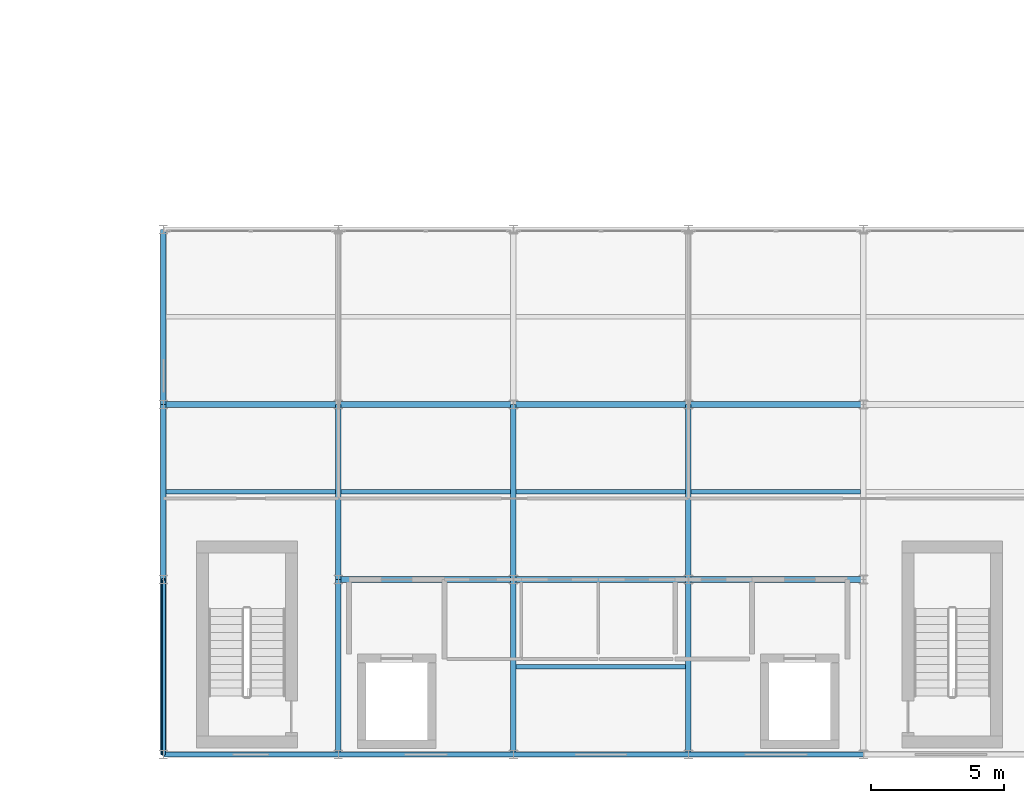
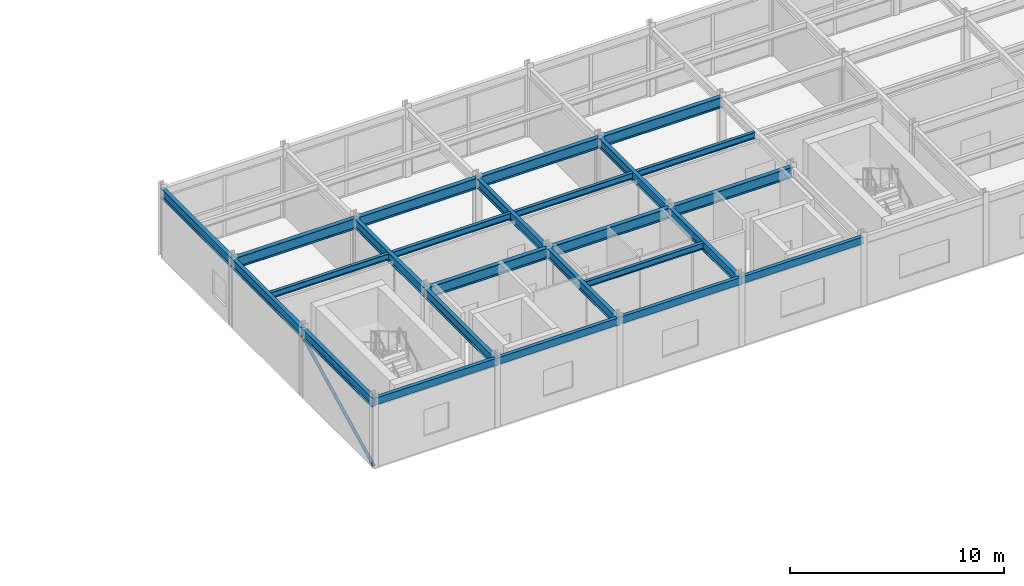
# One storey, part 53 of 134: 25 beams, 1 member.
"""IFC4 building model written with IfcOpenShell, lengths in metres."""

from ifc_helpers import new_model, si_unit, direction, frame, origin, origin_2d, place, context, subcontext, project, spatial, hollow_rectangle, hollow_circle, i_section, extrude, material, material_profile, profile_set, type_object, element, save


model = new_model("IFC4")

# Units and contexts
model_context = context("Model", 3, precision=1e-05, world=origin(), true_north=direction((0.0, 1.0)))
body_context = subcontext(model_context, "Body", "Model", "MODEL_VIEW")
ifc_project = project(units=[si_unit("LENGTHUNIT", "METRE"), si_unit("AREAUNIT", "SQUARE_METRE"), si_unit("VOLUMEUNIT", "CUBIC_METRE"), si_unit("PLANEANGLEUNIT", "RADIAN"), si_unit("MASSUNIT", "GRAM", prefix="KILO")], contexts=[model_context])

# Site, building, storey
site_placement = place(None, origin())
site = spatial("IfcSite", under=ifc_project, at=site_placement, CompositionType="ELEMENT")
building_placement = place(site_placement, origin())
building = spatial("IfcBuilding", under=site, at=building_placement, Name="Karori Crest Natural Sciences Institute", CompositionType="ELEMENT")
storey_placement = place(building_placement, frame((0.0, 0.0, 21.699951171875)))
storey = spatial("IfcBuildingStorey", under=building, at=storey_placement, Name="L05", CompositionType="ELEMENT", Elevation=21.699951171875)

# Beams
ifc_material_1 = material(Name="Structural steel AS/NZS 3679.1 Grade 350", Category="steel")
ifc_material_profile_1 = material_profile(ifc_material_1, i_section(OverallWidth=0.22900390625, OverallDepth=0.612060546875, WebThickness=0.011962890625, FlangeThickness=0.01953125, FilletRadius=0.013916015625, at=origin_2d()), Name="610UB125")
ifc_profile_set_1 = profile_set([ifc_material_profile_1], Name="Structural steel AS/NZS 3679.1 Grade 350")
beam_type_1 = type_object("IfcBeamType", Name="BT-04", PredefinedType="BEAM", material=ifc_profile_set_1)
beam_1_placement = place(storey_placement, frame((110.199951171875, 7.39990234375, 3.614013671875), z_axis=(1.0, 0.0, 0.0), x_axis=(0.0, 1.0, 0.0)))
element("IfcBeam", 1, at=beam_1_placement, inside=storey, type_object=beam_type_1, Name="Beam B-2463", PredefinedType="BEAM", context=body_context, shape_type="SweptSolid", body=[
    extrude(i_section(OverallWidth=0.22900390625, OverallDepth=0.612060546875, WebThickness=0.011962890625, FlangeThickness=0.01953125, FilletRadius=0.013916015625, at=origin_2d()), origin(), (0.0, 0.0, 1.0), 6.60009765625),
])
beam_2_placement = place(storey_placement, frame((116.800048828125, 7.39990234375, 3.614013671875), z_axis=(1.0, 0.0, 0.0), x_axis=(0.0, 1.0, 0.0)))
element("IfcBeam", 2, at=beam_2_placement, inside=storey, type_object=beam_type_1, Name="Beam B-2464", PredefinedType="BEAM", context=body_context, shape_type="SweptSolid", body=[
    extrude(i_section(OverallWidth=0.22900390625, OverallDepth=0.612060546875, WebThickness=0.011962890625, FlangeThickness=0.01953125, FilletRadius=0.013916015625, at=origin_2d()), origin(), (0.0, 0.0, 1.0), 6.599853515625),
])
beam_3_placement = place(storey_placement, frame((123.39990234375, 7.39990234375, 3.614013671875), z_axis=(1.0, 0.0, 0.0), x_axis=(0.0, 1.0, 0.0)))
element("IfcBeam", 3, at=beam_3_placement, inside=storey, type_object=beam_type_1, Name="Beam B-2465", PredefinedType="BEAM", context=body_context, shape_type="SweptSolid", body=[
    extrude(i_section(OverallWidth=0.22900390625, OverallDepth=0.612060546875, WebThickness=0.011962890625, FlangeThickness=0.01953125, FilletRadius=0.013916015625, at=origin_2d()), origin(), (0.0, 0.0, 1.0), 6.60009765625),
])
beam_4_placement = place(storey_placement, frame((103.60009765625, 14.0, 3.614013671875), z_axis=(1.0, 0.0, 0.0), x_axis=(0.0, 1.0, 0.0)))
element("IfcBeam", 4, at=beam_4_placement, inside=storey, type_object=beam_type_1, Name="Beam B-2470", PredefinedType="BEAM", context=body_context, shape_type="SweptSolid", body=[
    extrude(i_section(OverallWidth=0.22900390625, OverallDepth=0.612060546875, WebThickness=0.011962890625, FlangeThickness=0.01953125, FilletRadius=0.013916015625, at=origin_2d()), origin(), (0.0, 0.0, 1.0), 6.599853515625),
])
beam_5_placement = place(storey_placement, frame((110.199951171875, 14.0, 3.614013671875), z_axis=(1.0, 0.0, 0.0), x_axis=(0.0, 1.0, 0.0)))
element("IfcBeam", 5, at=beam_5_placement, inside=storey, type_object=beam_type_1, Name="Beam B-2471", PredefinedType="BEAM", context=body_context, shape_type="SweptSolid", body=[
    extrude(i_section(OverallWidth=0.22900390625, OverallDepth=0.612060546875, WebThickness=0.011962890625, FlangeThickness=0.01953125, FilletRadius=0.013916015625, at=origin_2d()), origin(), (0.0, 0.0, 1.0), 6.60009765625),
])
beam_6_placement = place(storey_placement, frame((116.800048828125, 14.0, 3.614013671875), z_axis=(1.0, 0.0, 0.0), x_axis=(0.0, 1.0, 0.0)))
element("IfcBeam", 6, at=beam_6_placement, inside=storey, type_object=beam_type_1, Name="Beam B-2472", PredefinedType="BEAM", context=body_context, shape_type="SweptSolid", body=[
    extrude(i_section(OverallWidth=0.22900390625, OverallDepth=0.612060546875, WebThickness=0.011962890625, FlangeThickness=0.01953125, FilletRadius=0.013916015625, at=origin_2d()), origin(), (0.0, 0.0, 1.0), 6.599853515625),
])
beam_7_placement = place(storey_placement, frame((123.39990234375, 14.0, 3.614013671875), z_axis=(1.0, 0.0, 0.0), x_axis=(0.0, 1.0, 0.0)))
element("IfcBeam", 7, at=beam_7_placement, inside=storey, type_object=beam_type_1, Name="Beam B-2473", PredefinedType="BEAM", context=body_context, shape_type="SweptSolid", body=[
    extrude(i_section(OverallWidth=0.22900390625, OverallDepth=0.612060546875, WebThickness=0.011962890625, FlangeThickness=0.01953125, FilletRadius=0.013916015625, at=origin_2d()), origin(), (0.0, 0.0, 1.0), 6.60009765625),
])
ifc_material_profile_2 = material_profile(ifc_material_1, i_section(OverallWidth=0.208984375, OverallDepth=0.532958984375, WebThickness=0.01025390625, FlangeThickness=0.015625, FilletRadius=0.013916015625, at=origin_2d()), Name="530UB92.4")
ifc_profile_set_2 = profile_set([ifc_material_profile_2], Name="Structural steel AS/NZS 3679.1 Grade 350")
beam_type_2 = type_object("IfcBeamType", Name="BT-05", PredefinedType="BEAM", material=ifc_profile_set_2)
beam_8_placement = place(storey_placement, frame((110.199951171875, 0.800048828125, 3.653564453125), z_axis=(0.0, 1.0, 0.0), x_axis=(-1.0, 0.0, 0.0)))
element("IfcBeam", 8, at=beam_8_placement, inside=storey, type_object=beam_type_2, Name="Beam B-2491", PredefinedType="BEAM", context=body_context, shape_type="SweptSolid", body=[
    extrude(i_section(OverallWidth=0.208984375, OverallDepth=0.532958984375, WebThickness=0.01025390625, FlangeThickness=0.015625, FilletRadius=0.013916015625, at=origin_2d()), origin(), (0.0, 0.0, 1.0), 6.599853515625),
])
beam_9_placement = place(storey_placement, frame((110.199951171875, 7.39990234375, 3.653564453125), z_axis=(0.0, 1.0, 0.0), x_axis=(-1.0, 0.0, 0.0)))
element("IfcBeam", 9, at=beam_9_placement, inside=storey, type_object=beam_type_2, Name="Beam B-2492", PredefinedType="BEAM", context=body_context, shape_type="SweptSolid", body=[
    extrude(i_section(OverallWidth=0.208984375, OverallDepth=0.532958984375, WebThickness=0.01025390625, FlangeThickness=0.015625, FilletRadius=0.013916015625, at=origin_2d()), origin(), (0.0, 0.0, 1.0), 6.60009765625),
])
beam_10_placement = place(storey_placement, frame((116.800048828125, 0.800048828125, 3.653564453125), z_axis=(0.0, 1.0, 0.0), x_axis=(-1.0, 0.0, 0.0)))
element("IfcBeam", 10, at=beam_10_placement, inside=storey, type_object=beam_type_2, Name="Beam B-2494", PredefinedType="BEAM", context=body_context, shape_type="SweptSolid", body=[
    extrude(i_section(OverallWidth=0.208984375, OverallDepth=0.532958984375, WebThickness=0.01025390625, FlangeThickness=0.015625, FilletRadius=0.013916015625, at=origin_2d()), origin(), (0.0, 0.0, 1.0), 6.599853515625),
])
beam_11_placement = place(storey_placement, frame((116.800048828125, 7.39990234375, 3.653564453125), z_axis=(0.0, 1.0, 0.0), x_axis=(-1.0, 0.0, 0.0)))
element("IfcBeam", 11, at=beam_11_placement, inside=storey, type_object=beam_type_2, Name="Beam B-2495", PredefinedType="BEAM", context=body_context, shape_type="SweptSolid", body=[
    extrude(i_section(OverallWidth=0.208984375, OverallDepth=0.532958984375, WebThickness=0.01025390625, FlangeThickness=0.015625, FilletRadius=0.013916015625, at=origin_2d()), origin(), (0.0, 0.0, 1.0), 6.60009765625),
])
beam_12_placement = place(storey_placement, frame((123.39990234375, 0.800048828125, 3.653564453125), z_axis=(0.0, 1.0, 0.0), x_axis=(-1.0, 0.0, 0.0)))
element("IfcBeam", 12, at=beam_12_placement, inside=storey, type_object=beam_type_2, Name="Beam B-2497", PredefinedType="BEAM", context=body_context, shape_type="SweptSolid", body=[
    extrude(i_section(OverallWidth=0.208984375, OverallDepth=0.532958984375, WebThickness=0.01025390625, FlangeThickness=0.015625, FilletRadius=0.013916015625, at=origin_2d()), origin(), (0.0, 0.0, 1.0), 6.599853515625),
])
beam_13_placement = place(storey_placement, frame((123.39990234375, 7.39990234375, 3.653564453125), z_axis=(0.0, 1.0, 0.0), x_axis=(-1.0, 0.0, 0.0)))
element("IfcBeam", 13, at=beam_13_placement, inside=storey, type_object=beam_type_2, Name="Beam B-2498", PredefinedType="BEAM", context=body_context, shape_type="SweptSolid", body=[
    extrude(i_section(OverallWidth=0.208984375, OverallDepth=0.532958984375, WebThickness=0.01025390625, FlangeThickness=0.015625, FilletRadius=0.013916015625, at=origin_2d()), origin(), (0.0, 0.0, 1.0), 6.60009765625),
])
ifc_material_profile_3 = material_profile(ifc_material_1, i_section(OverallWidth=0.208984375, OverallDepth=0.532958984375, WebThickness=0.01025390625, FlangeThickness=0.015625, FilletRadius=0.013916015625, at=origin_2d()), Name="530UB92.4")
ifc_profile_set_3 = profile_set([ifc_material_profile_3], Name="Structural steel AS/NZS 3679.1 Grade 350")
beam_type_3 = type_object("IfcBeamType", Name="BT-05-EL", PredefinedType="BEAM", material=ifc_profile_set_3)
beam_14_placement = place(storey_placement, frame((103.60009765625, 0.800048828125, 3.653564453125), z_axis=(0.0, 1.0, 0.0), x_axis=(-1.0, 0.0, 0.0)))
element("IfcBeam", 14, at=beam_14_placement, inside=storey, type_object=beam_type_3, Name="Beam B-2488", PredefinedType="BEAM", context=body_context, shape_type="SweptSolid", body=[
    extrude(i_section(OverallWidth=0.208984375, OverallDepth=0.532958984375, WebThickness=0.01025390625, FlangeThickness=0.015625, FilletRadius=0.013916015625, at=origin_2d()), origin(), (0.0, 0.0, 1.0), 6.599853515625),
])
for number, where, z_axis, x_axis, name in (
    (15, (103.60009765625, 7.39990234375, 3.653564453125), (0.0, 1.0, 0.0), (-1.0, 0.0, 0.0), "Beam B-2489"),
    (16, (103.60009765625, 14.0, 3.653564453125), (0.0, 1.0, 0.0), (-1.0, 0.0, 0.0), "Beam B-2490"),
):
    element("IfcBeam", number, at=place(storey_placement, frame(where, z_axis=z_axis, x_axis=x_axis)), inside=storey, type_object=beam_type_3, Name=name, PredefinedType="BEAM", context=body_context, shape_type="SweptSolid", body=[
        extrude(i_section(OverallWidth=0.208984375, OverallDepth=0.532958984375, WebThickness=0.01025390625, FlangeThickness=0.015625, FilletRadius=0.013916015625, at=origin_2d()), origin(), (0.0, 0.0, 1.0), 6.60009765625),
    ])
ifc_material_profile_4 = material_profile(ifc_material_1, i_section(OverallWidth=0.172119140625, OverallDepth=0.35888671875, WebThickness=0.008056640625, FlangeThickness=0.012939453125, FilletRadius=0.010986328125, at=origin_2d()), Name="360UB56.7")
ifc_profile_set_4 = profile_set([ifc_material_profile_4], Name="Structural steel AS/NZS 3679.1 Grade 350")
beam_type_4 = type_object("IfcBeamType", Name="BT-08", PredefinedType="BEAM", material=ifc_profile_set_4)
beam_15_placement = place(storey_placement, frame((103.70458984375, 10.699951171875, 3.740478515625), z_axis=(1.0, 0.0, 0.0), x_axis=(0.0, 1.0, 0.0)))
element("IfcBeam", 17, at=beam_15_placement, inside=storey, type_object=beam_type_4, Name="Beam B-2518", PredefinedType="BEAM", context=body_context, shape_type="SweptSolid", body=[
    extrude(i_section(OverallWidth=0.172119140625, OverallDepth=0.35888671875, WebThickness=0.008056640625, FlangeThickness=0.012939453125, FilletRadius=0.010986328125, at=origin_2d()), origin(), (0.0, 0.0, 1.0), 6.390869140625),
])
beam_16_placement = place(storey_placement, frame((110.304443359375, 10.699951171875, 3.740478515625), z_axis=(1.0, 0.0, 0.0), x_axis=(0.0, 1.0, 0.0)))
element("IfcBeam", 18, at=beam_16_placement, inside=storey, type_object=beam_type_4, Name="Beam B-2520", PredefinedType="BEAM", context=body_context, shape_type="SweptSolid", body=[
    extrude(i_section(OverallWidth=0.172119140625, OverallDepth=0.35888671875, WebThickness=0.008056640625, FlangeThickness=0.012939453125, FilletRadius=0.010986328125, at=origin_2d()), origin(), (0.0, 0.0, 1.0), 6.39111328125),
])
for number, where, z_axis, x_axis, name in (
    (19, (116.904541015625, 4.10009765625, 3.740478515625), (1.0, 0.0, 0.0), (0.0, 1.0, 0.0), "Beam B-2522"),
    (20, (116.904541015625, 10.699951171875, 3.740478515625), (1.0, 0.0, 0.0), (0.0, 1.0, 0.0), "Beam B-2523"),
):
    element("IfcBeam", number, at=place(storey_placement, frame(where, z_axis=z_axis, x_axis=x_axis)), inside=storey, type_object=beam_type_4, Name=name, PredefinedType="BEAM", context=body_context, shape_type="SweptSolid", body=[
        extrude(i_section(OverallWidth=0.172119140625, OverallDepth=0.35888671875, WebThickness=0.008056640625, FlangeThickness=0.012939453125, FilletRadius=0.010986328125, at=origin_2d()), origin(), (0.0, 0.0, 1.0), 6.390869140625),
    ])
beam_17_placement = place(storey_placement, frame((123.50439453125, 10.699951171875, 3.740478515625), z_axis=(1.0, 0.0, 0.0), x_axis=(0.0, 1.0, 0.0)))
element("IfcBeam", 21, at=beam_17_placement, inside=storey, type_object=beam_type_4, Name="Beam B-2525", PredefinedType="BEAM", context=body_context, shape_type="SweptSolid", body=[
    extrude(i_section(OverallWidth=0.172119140625, OverallDepth=0.35888671875, WebThickness=0.008056640625, FlangeThickness=0.012939453125, FilletRadius=0.010986328125, at=origin_2d()), origin(), (0.0, 0.0, 1.0), 6.39111328125),
])
ifc_material_2 = material(Name="Hollow structural steel AS/NZS 1163 Grade C350", Category="steel")
ifc_material_profile_5 = material_profile(ifc_material_2, hollow_rectangle(XDim=0.199951171875, YDim=0.39990234375, WallThickness=0.012451171875, at=origin_2d()), Name="RHS400x200x12.5")
ifc_profile_set_5 = profile_set([ifc_material_profile_5], Name="Hollow structural steel AS/NZS 1163 Grade C350")
beam_type_5 = type_object("IfcBeamType", Name="BT-14", PredefinedType="SPANDREL", material=ifc_profile_set_5)
beam_18_placement = place(storey_placement, frame((103.60009765625, 0.800048828125, 3.719970703125), z_axis=(1.0, 0.0, 0.0), x_axis=(0.0, 1.0, 0.0)))
element("IfcBeam", 22, at=beam_18_placement, inside=storey, type_object=beam_type_5, Name="Beam B-2454", PredefinedType="SPANDREL", context=body_context, shape_type="SweptSolid", body=[
    extrude(hollow_rectangle(XDim=0.199951171875, YDim=0.39990234375, WallThickness=0.012451171875, at=origin_2d()), origin(), (0.0, 0.0, 1.0), 6.599853515625),
])
beam_19_placement = place(storey_placement, frame((110.199951171875, 0.800048828125, 3.719970703125), z_axis=(1.0, 0.0, 0.0), x_axis=(0.0, 1.0, 0.0)))
element("IfcBeam", 23, at=beam_19_placement, inside=storey, type_object=beam_type_5, Name="Beam B-2455", PredefinedType="SPANDREL", context=body_context, shape_type="SweptSolid", body=[
    extrude(hollow_rectangle(XDim=0.199951171875, YDim=0.39990234375, WallThickness=0.012451171875, at=origin_2d()), origin(), (0.0, 0.0, 1.0), 6.60009765625),
])
beam_20_placement = place(storey_placement, frame((116.800048828125, 0.800048828125, 3.719970703125), z_axis=(1.0, 0.0, 0.0), x_axis=(0.0, 1.0, 0.0)))
element("IfcBeam", 24, at=beam_20_placement, inside=storey, type_object=beam_type_5, Name="Beam B-2456", PredefinedType="SPANDREL", context=body_context, shape_type="SweptSolid", body=[
    extrude(hollow_rectangle(XDim=0.199951171875, YDim=0.39990234375, WallThickness=0.012451171875, at=origin_2d()), origin(), (0.0, 0.0, 1.0), 6.599853515625),
])
beam_21_placement = place(storey_placement, frame((123.39990234375, 0.800048828125, 3.719970703125), z_axis=(1.0, 0.0, 0.0), x_axis=(0.0, 1.0, 0.0)))
element("IfcBeam", 25, at=beam_21_placement, inside=storey, type_object=beam_type_5, Name="Beam B-2457", PredefinedType="SPANDREL", context=body_context, shape_type="SweptSolid", body=[
    extrude(hollow_rectangle(XDim=0.199951171875, YDim=0.39990234375, WallThickness=0.012451171875, at=origin_2d()), origin(), (0.0, 0.0, 1.0), 6.60009765625),
])

# Member
ifc_material_profile_6 = material_profile(ifc_material_2, hollow_circle(Radius=0.084228515625, WallThickness=0.007080078125, at=origin_2d()), Name="CHS168.3x7.1")
ifc_profile_set_6 = profile_set([ifc_material_profile_6], Name="Hollow structural steel AS/NZS 1163 Grade C350")
member_type = type_object("IfcMemberType", Name="MT-03", PredefinedType="BRACE", material=ifc_profile_set_6)
member_placement = place(storey_placement, frame((103.60009765625, 0.800048828125, 0.010009765625), z_axis=(0.0, 0.893983612757, 0.448099654232), x_axis=(-1.0, 0.0, 0.0)))
element("IfcMember", 26, at=member_placement, inside=storey, type_object=member_type, Name="Diagonal Brace M-0449", PredefinedType="BRACE", context=body_context, shape_type="SweptSolid", body=[
    extrude(hollow_circle(Radius=0.084228515625, WallThickness=0.007080078125, at=origin_2d()), origin(), (0.0, 0.0, 1.0), 7.382568359375),
])

save(model, "model.ifc")
